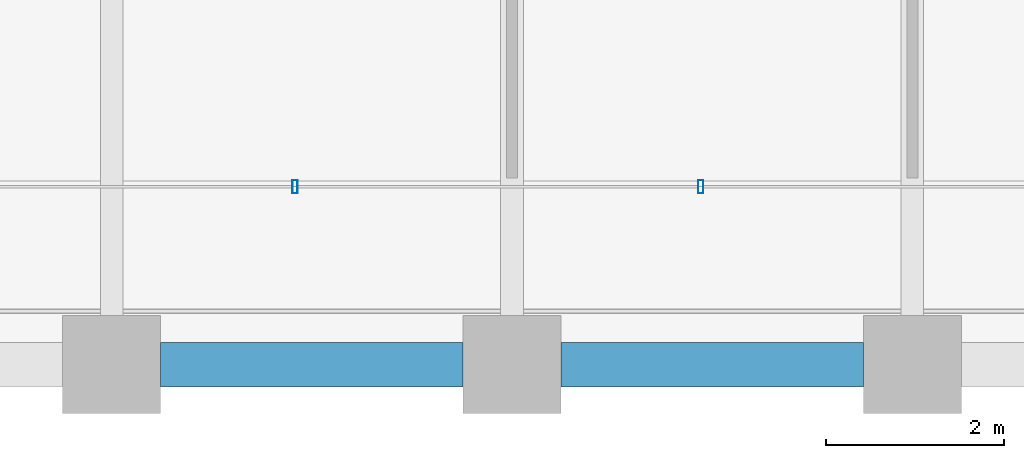
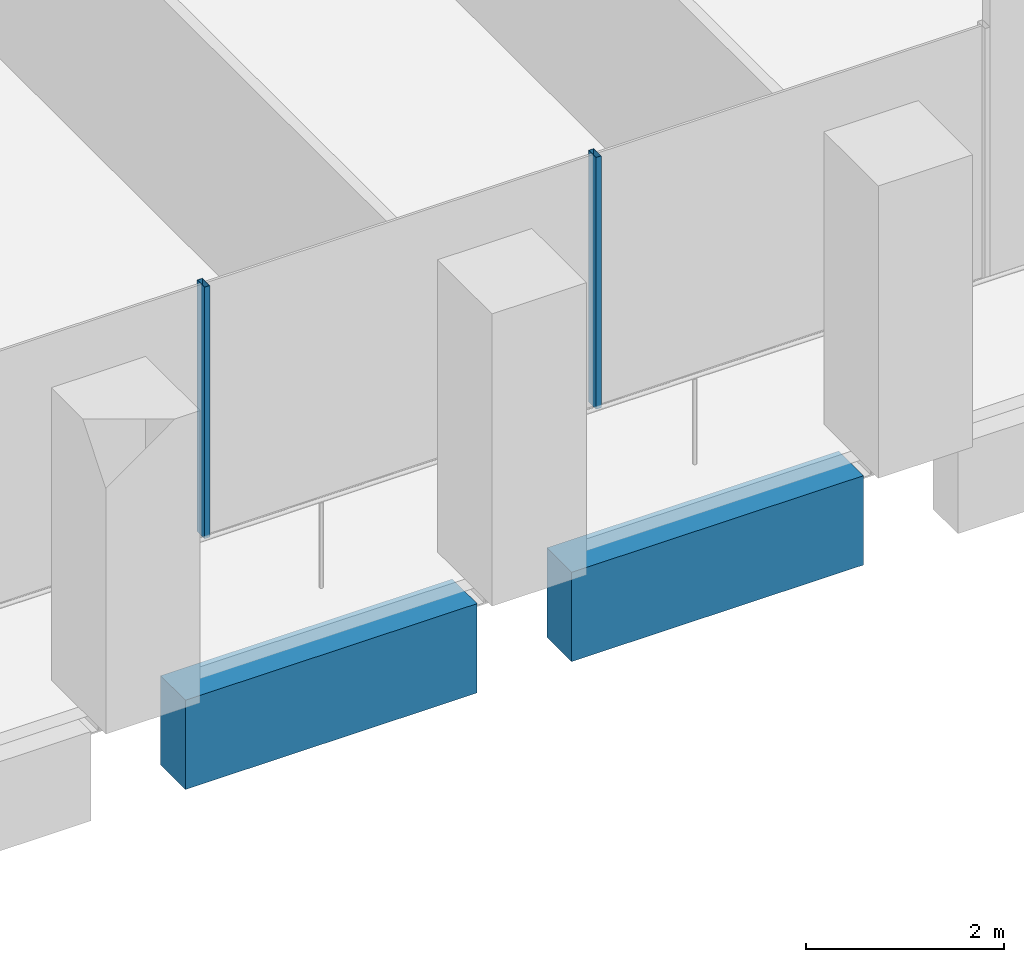
# One storey, part 3 of 56: 2 beams, 2 members, 1 element without a shape of its own.
"""IFC4 building model written with IfcOpenShell, lengths in metres."""

from ifc_helpers import new_model, si_unit, direction, frame, origin, origin_2d, place, context, subcontext, project, spatial, rectangle, hollow_rectangle, extrude, material, material_profile, profile_set, type_object, element, aggregate, save


model = new_model("IFC4")

# Units and contexts
model_context = context("Model", 3, precision=1e-05, world=origin(), true_north=direction((0.0, 1.0)))
body_context = subcontext(model_context, "Body", "Model", "MODEL_VIEW")
ifc_project = project(units=[si_unit("LENGTHUNIT", "METRE"), si_unit("AREAUNIT", "SQUARE_METRE"), si_unit("VOLUMEUNIT", "CUBIC_METRE"), si_unit("PLANEANGLEUNIT", "RADIAN"), si_unit("MASSUNIT", "GRAM", prefix="KILO")], contexts=[model_context])

# Site, building, storey
site_placement = place(None, origin())
site = spatial("IfcSite", under=ifc_project, at=site_placement, CompositionType="ELEMENT")
building_placement = place(site_placement, origin())
building = spatial("IfcBuilding", under=site, at=building_placement, Name="Altepetl Exchange Towers", CompositionType="ELEMENT")
storey_placement = place(building_placement, frame((0.0, 0.0, 51.0)))
storey = spatial("IfcBuildingStorey", under=building, at=storey_placement, Name="L11", CompositionType="ELEMENT", Elevation=51.0)

# Curtain wall, members
ifc_material_1 = material(Name="Aluminium 6063-T6 glazing", Category="aluminium")
curtain_wall_type = type_object("IfcCurtainWallType", Name="Loggia glazing system", PredefinedType="NOTDEFINED", material=ifc_material_1)
curtain_wall_placement = place(storey_placement, origin())
curtain_wall = element("IfcCurtainWall", 1, at=curtain_wall_placement, inside=storey, type_object=curtain_wall_type, Name="CW1 run", PredefinedType="NOTDEFINED")
ifc_material_2 = material(Name="Aluminium 6063-T6", Category="aluminium")
ifc_material_profile_1 = material_profile(ifc_material_2, hollow_rectangle(XDim=0.06005859375, YDim=0.14990234375, WallThickness=0.0029296875, at=origin_2d()), Name="Mullion 60x150 aluminium")
ifc_profile_set_1 = profile_set([ifc_material_profile_1], Name="Aluminium 6063-T6")
member_type = type_object("IfcMemberType", Name="Mullion 60x150 aluminium", PredefinedType="MULLION", material=ifc_profile_set_1)
member_1_placement = place(storey_placement, frame((38.060791015625, 29.0, 0.0)))
member_1 = element("IfcMember", 2, at=member_1_placement, type_object=member_type, Name="MU1 mullion", PredefinedType="MULLION", context=body_context, shape_type="SweptSolid", body=[
    extrude(hollow_rectangle(XDim=0.06005859375, YDim=0.14990234375, WallThickness=0.0029296875, at=origin_2d()), origin(), (0.0, 0.0, 1.0), 3.10009765625),
])
member_2_placement = place(storey_placement, frame((42.621337890625, 29.0, 0.0)))
member_2 = element("IfcMember", 3, at=member_2_placement, type_object=member_type, Name="MU1 mullion", PredefinedType="MULLION", context=body_context, shape_type="SweptSolid", body=[
    extrude(hollow_rectangle(XDim=0.06005859375, YDim=0.14990234375, WallThickness=0.0029296875, at=origin_2d()), origin(), (0.0, 0.0, 1.0), 3.10009765625),
])
aggregate(curtain_wall, [member_1, member_2])

# Beams
ifc_material_3 = material(Name="Concrete C50/60 precast with cantera blanca facing", Category="concrete")
ifc_material_profile_2 = material_profile(ifc_material_3, rectangle(XDim=0.5, YDim=1.10009765625, at=origin_2d()), Name="500 x 1100")
ifc_profile_set_2 = profile_set([ifc_material_profile_2], Name="Concrete C50/60 precast with cantera blanca facing")
beam_type = type_object("IfcBeamType", Name="Spandrel beam 500x1100 cantera blanca", PredefinedType="SPANDREL", material=ifc_profile_set_2)
for number, where, z_axis, x_axis, name in (
    (4, (36.550048828125, 27.0, -0.699951171875), (1.0, 0.0, 0.0), (0.0, 1.0, 0.0), "sp:A:L11:001"),
    (5, (41.050048828125, 27.0, -0.699951171875), (1.0, 0.0, 0.0), (0.0, 1.0, 0.0), "sp:A:L11:002"),
):
    element("IfcBeam", number, at=place(storey_placement, frame(where, z_axis=z_axis, x_axis=x_axis)), inside=storey, type_object=beam_type, Name=name, PredefinedType="SPANDREL", context=body_context, shape_type="SweptSolid", body=[
        extrude(rectangle(XDim=0.5, YDim=1.10009765625, at=origin_2d()), origin(), (0.0, 0.0, 1.0), 3.39990234375),
    ])

save(model, "model.ifc")
